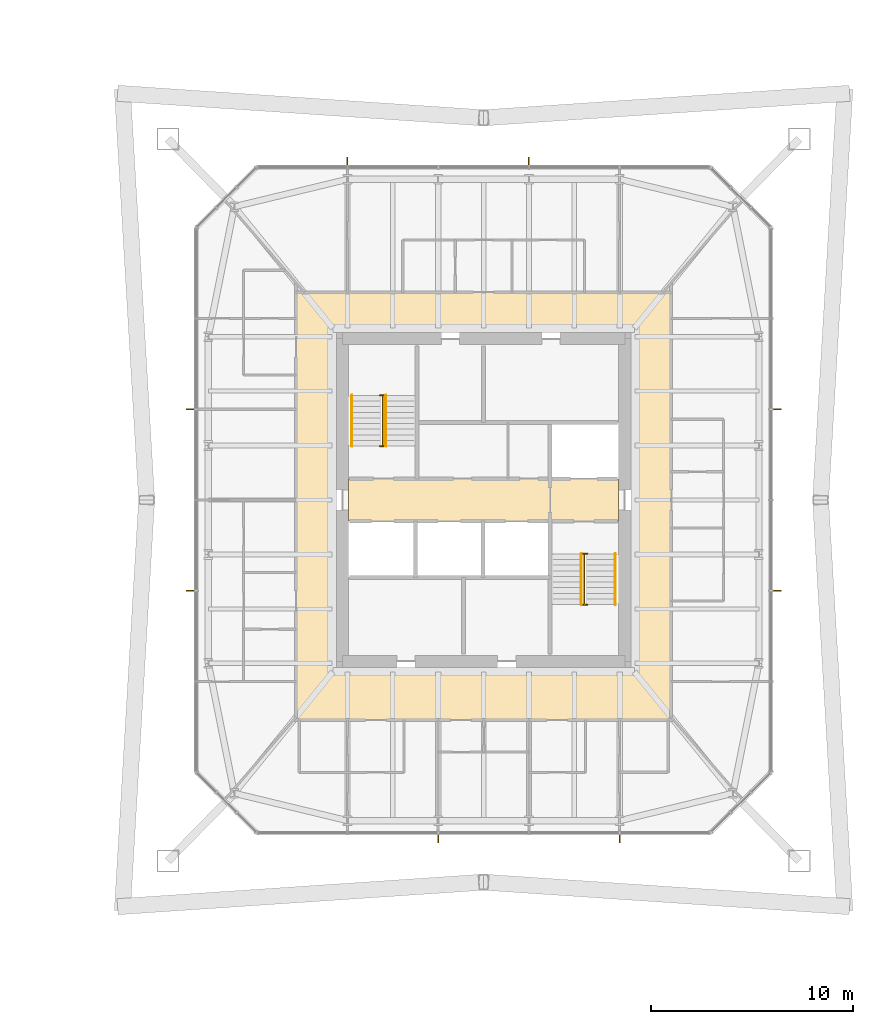
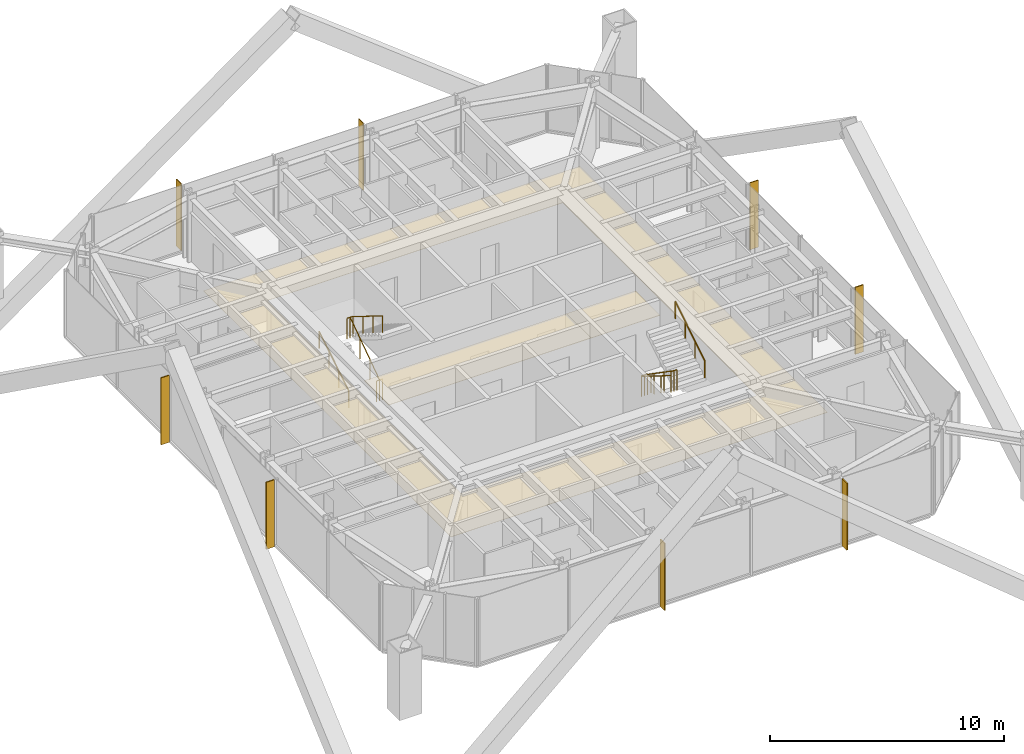
# One storey, part 21 of 21: 8 shading devices, 6 railings, 3 coverings.
"""IFC4 building model written with IfcOpenShell, lengths in metres."""

import ifcopenshell
import ifcopenshell.guid

model = None  # the IFC model being written
_history = None  # IfcOwnerHistory: only IFC2X3 demands one
_inside = {}  # id of a spatial element -> (the spatial element, [elements in it])
_under = {}  # id of a project, library or spatial element -> (it, [spatial elements below it])
_declared = {}  # id of a project -> (the project, [libraries it declares])
_typed = {}  # id of a type object -> (the type object, [elements of that type])
_made_of = {}  # id of a material, layer set ... -> (it, [elements and type objects made of it])


def new_model(schema):
    """Start an empty IFC model of exactly this schema.

    Asked for "IFC4X3", IfcOpenShell would pick the latest addendum, in which some entities
    have other attributes; the version numbers below select the first issue.
    IFC2X3 requires an IfcOwnerHistory on every rooted entity: one is made here for all.
    """
    global model, _history
    if schema == "IFC4X3":
        model = ifcopenshell.file(schema_version=(4, 3, 0, 0))
    else:
        model = ifcopenshell.file(schema=schema)
    _inside.clear()
    _under.clear()
    _declared.clear()
    _typed.clear()
    _made_of.clear()
    _history = None
    if model.schema == "IFC2X3":
        org = make("IfcOrganization", Name="unknown")
        user = make(
            "IfcPersonAndOrganization",
            ThePerson=make("IfcPerson", FamilyName="unknown"),
            TheOrganization=org,
        )
        app = make(
            "IfcApplication",
            ApplicationDeveloper=org,
            Version="unknown",
            ApplicationFullName="unknown",
            ApplicationIdentifier="unknown",
        )
        _history = make(
            "IfcOwnerHistory",
            OwningUser=user,
            OwningApplication=app,
            ChangeAction="ADDED",
            CreationDate=0,
        )
    return model


def make(cls, **values):
    """One entity of the class cls with the attributes given. An attribute that is None is left unset."""
    return model.create_entity(
        cls, **{name: value for name, value in values.items() if value is not None}
    )


def rooted(cls, **values):
    """An entity with a GlobalId (a new one), such as an element, a storey or a relation."""
    return make(cls, GlobalId=ifcopenshell.guid.new(), OwnerHistory=_history, **values)


def si_unit(unit_type, name, prefix=None):
    """IfcSIUnit, for example si_unit("LENGTHUNIT", "METRE", prefix="MILLI")."""
    return make("IfcSIUnit", UnitType=unit_type, Prefix=prefix, Name=name)


def assignment(units):
    """IfcUnitAssignment: the units of a project."""
    return None if units is None else make("IfcUnitAssignment", Units=units)


def point(xyz):
    """IfcCartesianPoint."""
    return None if xyz is None else make("IfcCartesianPoint", Coordinates=xyz)


def direction(xyz):
    """IfcDirection."""
    return None if xyz is None else make("IfcDirection", DirectionRatios=xyz)


def frame(location, z_axis=None, x_axis=None):
    """IfcAxis2Placement3D, a coordinate frame: its origin and axes. An axis left out is left unset."""
    return make(
        "IfcAxis2Placement3D",
        Location=point(location),
        Axis=direction(z_axis),
        RefDirection=direction(x_axis),
    )


def frame_2d(location, x_axis=None):
    """IfcAxis2Placement2D, a coordinate frame in the plane: its origin and x axis."""
    return make(
        "IfcAxis2Placement2D", Location=point(location), RefDirection=direction(x_axis)
    )


def origin():
    """The frame at (0, 0, 0) with its axes left unset."""
    return frame((0.0, 0.0, 0.0))


def origin_2d():
    """The frame at (0, 0) in the plane with its x axis left unset."""
    return frame_2d((0.0, 0.0))


def place(relative_to, where):
    """IfcLocalPlacement: puts the frame where relative to a parent placement (None: the world)."""
    return make(
        "IfcLocalPlacement", PlacementRelTo=relative_to, RelativePlacement=where
    )


def context(
    kind, dimensions, precision=None, world=None, true_north=None, identifier=None
):
    """IfcGeometricRepresentationContext, for example the 3D "Model" context."""
    return make(
        "IfcGeometricRepresentationContext",
        ContextIdentifier=identifier,
        ContextType=kind,
        CoordinateSpaceDimension=dimensions,
        Precision=precision,
        WorldCoordinateSystem=world,
        TrueNorth=true_north,
    )


def subcontext(parent, identifier, kind, view, scale=None):
    """IfcGeometricRepresentationSubContext, for example "Body" below "Model"."""
    return make(
        "IfcGeometricRepresentationSubContext",
        ContextIdentifier=identifier,
        ContextType=kind,
        ParentContext=parent,
        TargetScale=scale,
        TargetView=view,
    )


def project(units=None, contexts=None):
    """IfcProject with its units and contexts."""
    return rooted(
        "IfcProject",
        Name="project",
        RepresentationContexts=contexts,
        UnitsInContext=assignment(units),
    )


def spatial(cls, under=None, at=None, **own):
    """A site, building, storey or space (cls), placed at a placement, below another one or the project."""
    s = rooted(cls, ObjectPlacement=at, **own)
    if under is not None:
        _under.setdefault(under.id(), (under, []))[1].append(s)
    return s


def polyline(points):
    """IfcPolyline through the points."""
    return make("IfcPolyline", Points=[point(p) for p in points])


def profile(cls, at=None, kind="AREA", **sizes):
    """A parametric profile (cls). Its sizes go by their IFC names, for example OverallWidth=200.0."""
    return make(cls, ProfileType=kind, Position=at, **sizes)


def rectangle(**sizes):
    """IfcRectangleProfileDef."""
    return profile("IfcRectangleProfileDef", **sizes)


def circle(**sizes):
    """IfcCircleProfileDef."""
    return profile("IfcCircleProfileDef", **sizes)


def outline(outer, holes=None, kind="AREA"):
    """IfcArbitraryClosedProfileDef: a profile drawn as a closed curve; with holes, ...WithVoids."""
    if holes is None:
        return make("IfcArbitraryClosedProfileDef", ProfileType=kind, OuterCurve=outer)
    return make(
        "IfcArbitraryProfileDefWithVoids",
        ProfileType=kind,
        OuterCurve=outer,
        InnerCurves=holes,
    )


def extrude(swept, where, along, depth):
    """IfcExtrudedAreaSolid: the profile swept, set in the frame where, extruded along a direction by depth."""
    return make(
        "IfcExtrudedAreaSolid",
        SweptArea=swept,
        Position=where,
        ExtrudedDirection=direction(along),
        Depth=depth,
    )


def shape(context_of_items, identifier, shape_type, items):
    """IfcShapeRepresentation: the items that make up one representation, for example the "Body"."""
    return make(
        "IfcShapeRepresentation",
        ContextOfItems=context_of_items,
        RepresentationIdentifier=identifier,
        RepresentationType=shape_type,
        Items=items,
    )


def material(Name=None, Category=None):
    """IfcMaterial."""
    return make("IfcMaterial", Name=Name, Category=Category)


def layer(
    of_material, thickness, ventilated=None, Name=None, Category=None, Priority=None
):
    """IfcMaterialLayer: one layer of a wall or slab, of a material (None: an air gap)."""
    return make(
        "IfcMaterialLayer",
        Material=of_material,
        LayerThickness=thickness,
        IsVentilated=ventilated,
        Name=Name,
        Category=Category,
        Priority=Priority,
    )


def layer_set(layers, Name=None):
    """IfcMaterialLayerSet."""
    return make("IfcMaterialLayerSet", MaterialLayers=layers, LayerSetName=Name)


def constituent(of_material, Name=None, Category=None, fraction=None):
    """IfcMaterialConstituent: one of the materials an element consists of."""
    return make(
        "IfcMaterialConstituent",
        Name=Name,
        Material=of_material,
        Fraction=fraction,
        Category=Category,
    )


def constituent_set(constituents=None, Name=None):
    """IfcMaterialConstituentSet."""
    return make(
        "IfcMaterialConstituentSet", Name=Name, MaterialConstituents=constituents
    )


def made_of(thing, what):
    """Note that an element or type object is made of a material, layer set ...; save() writes the relation."""
    if what is not None:
        _made_of.setdefault(what.id(), (what, []))[1].append(thing)
    return thing


def type_object(cls, material=None, **own):
    """A type object (cls), such as IfcWallType, which elements share."""
    return made_of(rooted(cls, **own), material)


def element(
    cls,
    number,
    at=None,
    inside=None,
    cuts=None,
    type_object=None,
    material=None,
    context=None,
    identifier="Body",
    shape_type=None,
    held_by="IfcProductDefinitionShape",
    body=None,
    shapes=None,
    **own,
):
    """One element of the class cls, such as IfcWall. Its Tag is "e" and its number.

    at: its placement. inside: the storey or other place that contains it. cuts: it is an
    opening in that element (IfcRelVoidsElement). A single representation is given by context,
    identifier, shape_type and body (its items); several are given by shapes. held_by: the class
    of the entity that holds the representations. save() writes the other relations.
    """
    e = rooted(cls, Tag="e%d" % number, ObjectPlacement=at, **own)
    if body is not None:
        shapes = [shape(context, identifier, shape_type, body)]
    if shapes is not None:
        e.Representation = make(held_by, Representations=shapes)
    if inside is not None:
        _inside.setdefault(inside.id(), (inside, []))[1].append(e)
    if cuts is not None:
        rooted(
            "IfcRelVoidsElement", RelatingBuildingElement=cuts, RelatedOpeningElement=e
        )
    if type_object is not None:
        _typed.setdefault(type_object.id(), (type_object, []))[1].append(e)
    return made_of(e, material)


def aggregate(whole, parts):
    """IfcRelAggregates: a whole, such as a stair, and the parts it consists of."""
    return rooted("IfcRelAggregates", RelatingObject=whole, RelatedObjects=parts)


def save(model, path):
    """Write the relations noted so far, then the file.

    IfcRelAggregates (storeys below a building ...), IfcRelContainedInSpatialStructure (elements
    in a storey), IfcRelDefinesByType, IfcRelAssociatesMaterial and IfcRelDeclares: one each for
    every whole, place, type object, material and project.
    """
    for whole, parts in _under.values():
        aggregate(whole, parts)
    for where, things in _inside.values():
        rooted(
            "IfcRelContainedInSpatialStructure",
            RelatedElements=things,
            RelatingStructure=where,
        )
    for kind, things in _typed.values():
        rooted("IfcRelDefinesByType", RelatedObjects=things, RelatingType=kind)
    for what, things in _made_of.values():
        rooted("IfcRelAssociatesMaterial", RelatedObjects=things, RelatingMaterial=what)
    for by, libraries in _declared.values():
        rooted("IfcRelDeclares", RelatingContext=by, RelatedDefinitions=libraries)
    model.write(path)


model = new_model("IFC4")

# Units and contexts
model_context = context("Model", 3, precision=1e-05, world=origin(), true_north=direction((0.0, 1.0)))
body_context = subcontext(model_context, "Body", "Model", "MODEL_VIEW")
ifc_project = project(units=[si_unit("LENGTHUNIT", "METRE"), si_unit("AREAUNIT", "SQUARE_METRE"), si_unit("VOLUMEUNIT", "CUBIC_METRE"), si_unit("PLANEANGLEUNIT", "RADIAN"), si_unit("MASSUNIT", "GRAM", prefix="KILO")], contexts=[model_context])

# Site, building, storey
site_placement = place(None, origin())
site = spatial("IfcSite", under=ifc_project, at=site_placement, CompositionType="ELEMENT")
building_placement = place(site_placement, origin())
building = spatial("IfcBuilding", under=site, at=building_placement, Name="Iwan Alto Co-Living Towers", CompositionType="ELEMENT")
storey_placement = place(building_placement, frame((0.0, 0.0, 80.5)))
storey = spatial("IfcBuildingStorey", under=building, at=storey_placement, Name="L21", CompositionType="ELEMENT", Elevation=80.5)

# Coverings
ifc_material_1 = material(Name="Mineral fibre acoustic tiles on steel grid", Category="steel")
ifc_layer_1 = layer(ifc_material_1, 0.02001953125)
ifc_layer_set_1 = layer_set([ifc_layer_1], Name="ACOUSTIC TILE CEILING 20")
covering_type_1 = type_object("IfcCoveringType", Name="ACOUSTIC TILE CEILING 20", PredefinedType="CEILING", material=ifc_layer_set_1)
covering_1_placement = place(storey_placement, frame((0.0, 0.0, 2.60009765625)))
element("IfcCovering", 1, at=covering_1_placement, inside=storey, type_object=covering_type_1, Name="Ceiling Lift lobby L21", PredefinedType="CEILING", context=body_context, shape_type="SweptSolid", body=[
    extrude(outline(polyline([(56.300048828125, -1.050048828125), (56.300048828125, 1.050048828125), (66.300048828125, 1.050048828125), (66.300048828125, -1.050048828125), (56.300048828125, -1.050048828125)])), origin(), (0.0, 0.0, 1.0), 0.02001953125),
])
covering_2_placement = place(storey_placement, frame((0.0, 0.0, 2.60009765625)))
element("IfcCovering", 2, at=covering_2_placement, inside=storey, type_object=covering_type_1, Name="Ceiling Firefighting lobby L21", PredefinedType="CEILING", context=body_context, shape_type="SweptSolid", body=[
    extrude(outline(polyline([(66.300048828125, -1.050048828125), (66.300048828125, 1.050048828125), (69.699951171875, 1.050048828125), (69.699951171875, -1.050048828125), (66.300048828125, -1.050048828125)])), origin(), (0.0, 0.0, 1.0), 0.02001953125),
])

# Shading devices
ifc_material_2 = material(Name="Aluminium 6063-T6 bronze anodised", Category="aluminium")
ifc_layer_2 = layer(ifc_material_2, 0.050048828125)
ifc_layer_set_2 = layer_set([ifc_layer_2], Name="BRONZE FIN 50X400")
shading_device_type = type_object("IfcShadingDeviceType", Name="BRONZE FIN 50X400", PredefinedType="USERDEFINED", material=ifc_layer_set_2)
for number, where, z_axis, x_axis, name in (
    (3, (60.75, -16.800048828125, 0.0), (0.0, 0.0, 1.0), (1.0, 0.0, 0.0), "Bronze fin L21"),
    (4, (69.75, -16.800048828125, 0.0), (0.0, 0.0, 1.0), (1.0, 0.0, 0.0), "Bronze fin L21"),
    (5, (77.550048828125, -4.5, 0.0), (0.0, 0.0, 1.0), (0.0, 1.0, 0.0), "Bronze fin L21"),
    (6, (77.550048828125, 4.5, 0.0), (0.0, 0.0, 1.0), (0.0, 1.0, 0.0), "Bronze fin L21"),
    (7, (65.25, 16.800048828125, 0.0), (0.0, 0.0, 1.0), (-1.0, 0.0, 0.0), "Bronze fin L21"),
    (8, (56.25, 16.800048828125, 0.0), (0.0, 0.0, 1.0), (-1.0, 0.0, 0.0), "Bronze fin L21"),
    (9, (48.449951171875, 4.5, 0.0), (0.0, 0.0, 1.0), (0.0, -1.0, 0.0), "Bronze fin L21"),
    (10, (48.449951171875, -4.5, 0.0), (0.0, 0.0, 1.0), (0.0, -1.0, 0.0), "Bronze fin L21"),
):
    element("IfcShadingDevice", number, at=place(storey_placement, frame(where, z_axis=z_axis, x_axis=x_axis)), inside=storey, type_object=shading_device_type, Name=name, ObjectType="LOUVER", PredefinedType="USERDEFINED", context=body_context, shape_type="SweptSolid", body=[
        extrude(rectangle(XDim=0.050048828125, YDim=0.39990234375, at=origin_2d()), origin(), (0.0, 0.0, 1.0), 3.5),
    ])

# Railings
ifc_material_3 = material(Name="Steel ASTM A500 Gr C", Category="steel")
ifc_constituent_1 = constituent(ifc_material_3, Name="Rails and posts", Category="Framing")
ifc_material_4 = material(Name="Steel ASTM A36", Category="steel")
ifc_constituent_2 = constituent(ifc_material_4, Name="Bar infill", Category="Infill")
ifc_constituent_set = constituent_set(constituents=[ifc_constituent_1, ifc_constituent_2], Name="STAIR GUARD 1100")
railing_type_1 = type_object("IfcRailingType", Name="STAIR GUARD 1100", PredefinedType="GUARDRAIL", material=ifc_constituent_set)
railing_1_placement = place(storey_placement, frame((58.0, 2.669921875, 0.0)))
element("IfcRailing", 11, at=railing_1_placement, inside=storey, type_object=railing_type_1, Name="Stair T2-S1 well guard L21", PredefinedType="GUARDRAIL", context=body_context, shape_type="SweptSolid", body=[
    extrude(circle(Radius=0.02392578125, at=origin_2d()), frame((0.0, 0.0, 1.076171875), z_axis=(0.0, 0.821372036852, 0.570392826987), x_axis=(-1.0, 0.0, 0.0)), (0.0, 0.0, 1.0), 3.068115234375),
    extrude(circle(Radius=0.02392578125, at=origin_2d()), frame((-0.14990234375, 0.0, 1.076171875), z_axis=(1.0, 0.0, 0.0), x_axis=(0.0, 1.0, 0.0)), (0.0, 0.0, 1.0), 0.2998046875),
    extrude(circle(Radius=0.02392578125, at=origin_2d()), frame((-0.14990234375, 2.52001953125, 2.826171875), z_axis=(1.0, 0.0, 0.0), x_axis=(0.0, 1.0, 0.0)), (0.0, 0.0, 1.0), 0.2998046875),
    extrude(circle(Radius=0.02099609375, at=origin_2d()), origin(), (0.0, 0.0, 1.0), 1.052001953125),
    extrude(circle(Radius=0.02099609375, at=origin_2d()), frame((0.0, 0.840087890625, 0.583251953125)), (0.0, 0.0, 1.0), 1.052001953125),
    extrude(circle(Radius=0.02099609375, at=origin_2d()), frame((0.0, 1.679931640625, 1.166748046875)), (0.0, 0.0, 1.0), 1.052001953125),
    extrude(circle(Radius=0.02099609375, at=origin_2d()), frame((0.0, 2.52001953125, 1.75)), (0.0, 0.0, 1.0), 1.052001953125),
    extrude(circle(Radius=0.02099609375, at=origin_2d()), frame((-0.14990234375, 0.0, 0.0)), (0.0, 0.0, 1.0), 1.052001953125),
    extrude(circle(Radius=0.02099609375, at=origin_2d()), frame((0.14990234375, 0.0, 0.0)), (0.0, 0.0, 1.0), 1.052001953125),
    extrude(circle(Radius=0.02099609375, at=origin_2d()), frame((-0.14990234375, 2.52001953125, 1.75)), (0.0, 0.0, 1.0), 1.052001953125),
    extrude(circle(Radius=0.02099609375, at=origin_2d()), frame((0.14990234375, 2.52001953125, 1.75)), (0.0, 0.0, 1.0), 1.052001953125),
])
railing_2_placement = place(storey_placement, frame((68.0, -2.669921875, 0.0)))
element("IfcRailing", 12, at=railing_2_placement, inside=storey, type_object=railing_type_1, Name="Stair T2-S2 well guard L21", PredefinedType="GUARDRAIL", context=body_context, shape_type="SweptSolid", body=[
    extrude(circle(Radius=0.02392578125, at=origin_2d()), frame((0.0, 0.0, 1.076171875), z_axis=(0.0, -0.821372036852, 0.570392826987), x_axis=(1.0, 0.0, 0.0)), (0.0, 0.0, 1.0), 3.068115234375),
    extrude(circle(Radius=0.02392578125, at=origin_2d()), frame((-0.14990234375, 0.0, 1.076171875), z_axis=(1.0, 0.0, 0.0), x_axis=(0.0, 1.0, 0.0)), (0.0, 0.0, 1.0), 0.2998046875),
    extrude(circle(Radius=0.02392578125, at=origin_2d()), frame((-0.14990234375, -2.52001953125, 2.826171875), z_axis=(1.0, 0.0, 0.0), x_axis=(0.0, 1.0, 0.0)), (0.0, 0.0, 1.0), 0.2998046875),
    extrude(circle(Radius=0.02099609375, at=origin_2d()), origin(), (0.0, 0.0, 1.0), 1.052001953125),
    extrude(circle(Radius=0.02099609375, at=origin_2d()), frame((0.0, -0.840087890625, 0.583251953125)), (0.0, 0.0, 1.0), 1.052001953125),
    extrude(circle(Radius=0.02099609375, at=origin_2d()), frame((0.0, -1.679931640625, 1.166748046875)), (0.0, 0.0, 1.0), 1.052001953125),
    extrude(circle(Radius=0.02099609375, at=origin_2d()), frame((0.0, -2.52001953125, 1.75)), (0.0, 0.0, 1.0), 1.052001953125),
    extrude(circle(Radius=0.02099609375, at=origin_2d()), frame((-0.14990234375, 0.0, 0.0)), (0.0, 0.0, 1.0), 1.052001953125),
    extrude(circle(Radius=0.02099609375, at=origin_2d()), frame((0.14990234375, 0.0, 0.0)), (0.0, 0.0, 1.0), 1.052001953125),
    extrude(circle(Radius=0.02099609375, at=origin_2d()), frame((-0.14990234375, -2.52001953125, 1.75)), (0.0, 0.0, 1.0), 1.052001953125),
    extrude(circle(Radius=0.02099609375, at=origin_2d()), frame((0.14990234375, -2.52001953125, 1.75)), (0.0, 0.0, 1.0), 1.052001953125),
])
ifc_material_5 = material(Name="Steel ASTM A500 Gr C", Category="steel")
railing_type_2 = type_object("IfcRailingType", Name="STAIR HANDRAIL 900", PredefinedType="HANDRAIL", material=ifc_material_5)
railing_3_placement = place(storey_placement, frame((56.469970703125, 2.669921875, 0.175048828125)))
element("IfcRailing", 13, at=railing_3_placement, inside=storey, type_object=railing_type_2, Name="Stair T2-S1 handrail 1 L21", PredefinedType="HANDRAIL", context=body_context, shape_type="SweptSolid", body=[
    extrude(circle(Radius=0.02392578125, at=origin_2d()), frame((0.0, 0.0, 0.8759765625), z_axis=(0.0, 0.848007534815, 0.529984170421), x_axis=(-1.0, 0.0, 0.0)), (0.0, 0.0, 1.0), 2.9716796875),
    extrude(circle(Radius=0.02099609375, at=origin_2d()), origin(), (0.0, 0.0, 1.0), 0.851806640625),
    extrude(circle(Radius=0.02099609375, at=origin_2d()), frame((0.0, 0.840087890625, 0.52490234375)), (0.0, 0.0, 1.0), 0.851806640625),
    extrude(circle(Radius=0.02099609375, at=origin_2d()), frame((0.0, 1.679931640625, 1.050048828125)), (0.0, 0.0, 1.0), 0.851806640625),
    extrude(circle(Radius=0.02099609375, at=origin_2d()), frame((0.0, 2.52001953125, 1.574951171875)), (0.0, 0.0, 1.0), 0.851806640625),
])
for number, where, name in (
    (14, (58.14990234375, 5.18994140625, 1.925048828125), "Stair T2-S1 handrail 2 L21"),
    (15, (67.85009765625, -2.669921875, 0.175048828125), "Stair T2-S2 handrail 1 L21"),
):
    element("IfcRailing", number, at=place(storey_placement, frame(where)), inside=storey, type_object=railing_type_2, Name=name, PredefinedType="HANDRAIL", context=body_context, shape_type="SweptSolid", body=[
        extrude(circle(Radius=0.02392578125, at=origin_2d()), frame((0.0, 0.0, 0.8759765625), z_axis=(0.0, -0.848007534815, 0.529984170421), x_axis=(1.0, 0.0, 0.0)), (0.0, 0.0, 1.0), 2.9716796875),
        extrude(circle(Radius=0.02099609375, at=origin_2d()), origin(), (0.0, 0.0, 1.0), 0.851806640625),
        extrude(circle(Radius=0.02099609375, at=origin_2d()), frame((0.0, -0.840087890625, 0.52490234375)), (0.0, 0.0, 1.0), 0.851806640625),
        extrude(circle(Radius=0.02099609375, at=origin_2d()), frame((0.0, -1.679931640625, 1.050048828125)), (0.0, 0.0, 1.0), 0.851806640625),
        extrude(circle(Radius=0.02099609375, at=origin_2d()), frame((0.0, -2.52001953125, 1.574951171875)), (0.0, 0.0, 1.0), 0.851806640625),
    ])
railing_4_placement = place(storey_placement, frame((69.530029296875, -5.18994140625, 1.925048828125)))
element("IfcRailing", 16, at=railing_4_placement, inside=storey, type_object=railing_type_2, Name="Stair T2-S2 handrail 2 L21", PredefinedType="HANDRAIL", context=body_context, shape_type="SweptSolid", body=[
    extrude(circle(Radius=0.02392578125, at=origin_2d()), frame((0.0, 0.0, 0.8759765625), z_axis=(0.0, 0.848007534815, 0.529984170421), x_axis=(-1.0, 0.0, 0.0)), (0.0, 0.0, 1.0), 2.9716796875),
    extrude(circle(Radius=0.02099609375, at=origin_2d()), origin(), (0.0, 0.0, 1.0), 0.851806640625),
    extrude(circle(Radius=0.02099609375, at=origin_2d()), frame((0.0, 0.840087890625, 0.52490234375)), (0.0, 0.0, 1.0), 0.851806640625),
    extrude(circle(Radius=0.02099609375, at=origin_2d()), frame((0.0, 1.679931640625, 1.050048828125)), (0.0, 0.0, 1.0), 0.851806640625),
    extrude(circle(Radius=0.02099609375, at=origin_2d()), frame((0.0, 2.52001953125, 1.574951171875)), (0.0, 0.0, 1.0), 0.851806640625),
])

# Covering
ifc_material_6 = material(Name="Gypsum plasterboard on steel grid", Category="steel")
ifc_layer_3 = layer(ifc_material_6, 0.014892578125)
ifc_layer_set_3 = layer_set([ifc_layer_3], Name="SUSPENDED PLASTERBOARD CEILING 15")
covering_type_2 = type_object("IfcCoveringType", Name="SUSPENDED PLASTERBOARD CEILING 15", PredefinedType="CEILING", material=ifc_layer_set_3)
covering_3_placement = place(storey_placement, frame((0.0, 0.0, 2.60009765625)))
element("IfcCovering", 17, at=covering_3_placement, inside=storey, type_object=covering_type_2, Name="Ceiling Corridor L21", PredefinedType="CEILING", context=body_context, shape_type="SweptSolid", body=[
    extrude(outline(polyline([(53.699951171875, 10.300048828125), (72.300048828125, 10.300048828125), (72.300048828125, -10.89990234375), (53.699951171875, -10.89990234375), (53.699951171875, 10.300048828125)]), holes=[polyline([(55.699951171875, 8.300048828125), (55.699951171875, -8.300048828125), (70.300048828125, -8.300048828125), (70.300048828125, 8.300048828125), (55.699951171875, 8.300048828125)])]), origin(), (0.0, 0.0, 1.0), 0.014892578125),
])

save(model, "model.ifc")
